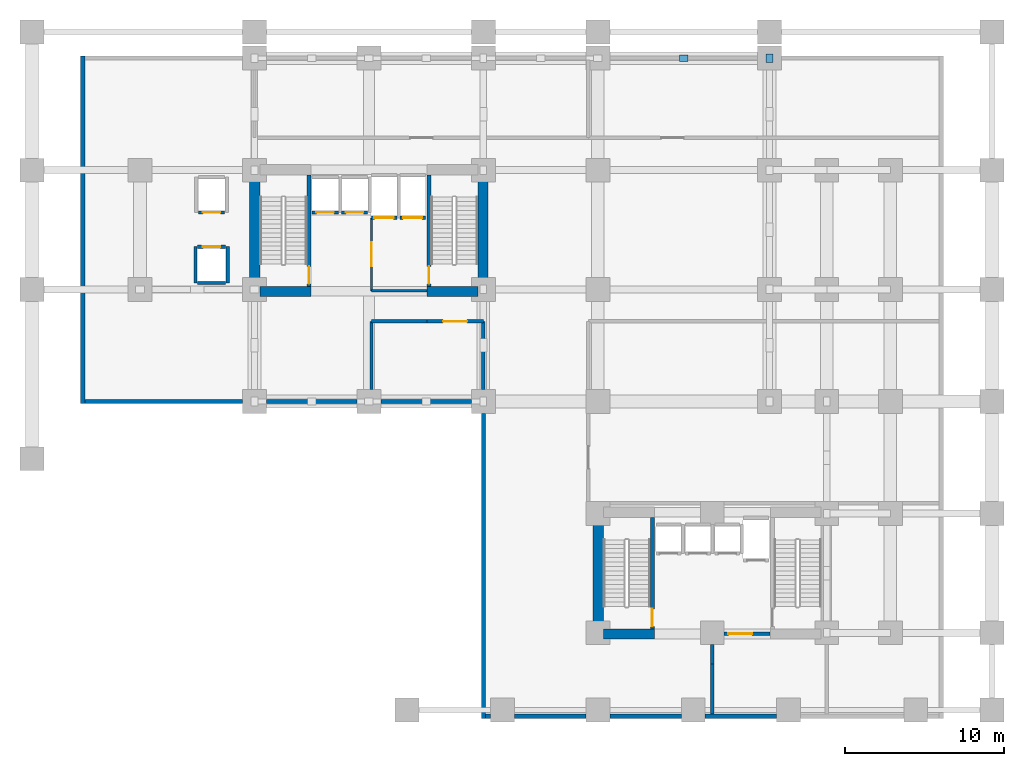
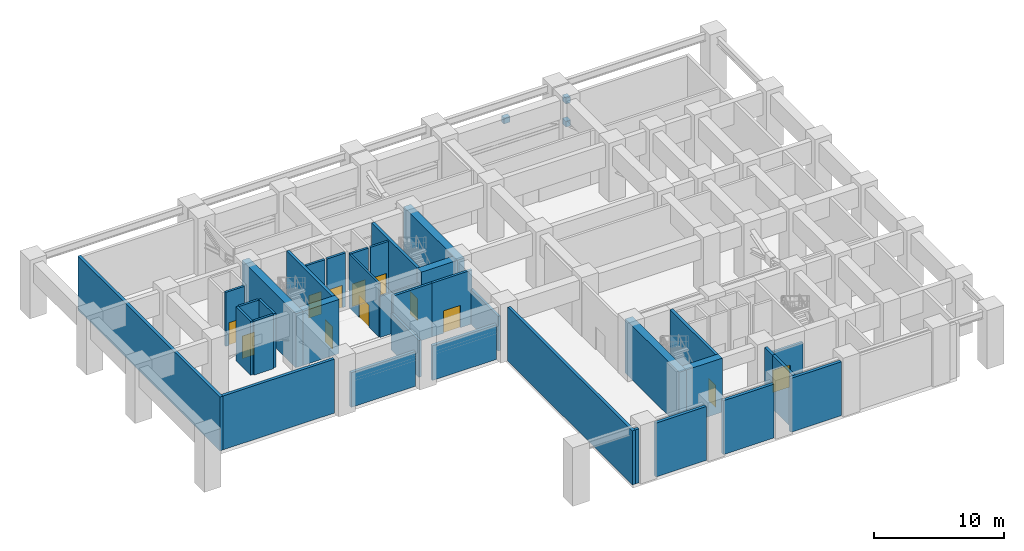
# One storey, part 4 of 9: 36 walls, 12 doors, 3 plates, 12 openings.
"""IFC4 building model written with IfcOpenShell, lengths in metres."""

from ifc_helpers import new_model, si_unit, direction, frame, frame_2d, origin, origin_2d, place, context, subcontext, project, spatial, rectangle, extrude, source, transform, mapped, material, layer, layer_set, type_object, element, fill, save


model = new_model("IFC4")

# Units and contexts
model_context = context("Model", 3, precision=1e-05, world=origin(), true_north=direction((0.0, 1.0)))
body_context = subcontext(model_context, "Body", "Model", "MODEL_VIEW")
ifc_project = project(units=[si_unit("LENGTHUNIT", "METRE"), si_unit("AREAUNIT", "SQUARE_METRE"), si_unit("VOLUMEUNIT", "CUBIC_METRE"), si_unit("PLANEANGLEUNIT", "RADIAN"), si_unit("MASSUNIT", "GRAM", prefix="KILO")], contexts=[model_context])

# Site, building, storey
site_placement = place(None, origin())
site = spatial("IfcSite", under=ifc_project, at=site_placement, CompositionType="ELEMENT")
building_placement = place(site_placement, origin())
building = spatial("IfcBuilding", under=site, at=building_placement, Name="Kaliganga Portal Commons", CompositionType="ELEMENT")
storey_placement = place(building_placement, frame((0.0, 0.0, 19.800048828125)))
storey = spatial("IfcBuildingStorey", under=building, at=storey_placement, Name="L04", CompositionType="ELEMENT", Elevation=19.800048828125)

# Plates
ifc_material_1 = material(Name="Structural steel S460M", Category="steel")
ifc_layer_1 = layer(ifc_material_1, 0.0400390625)
ifc_layer_set_1 = layer_set([ifc_layer_1], Name="Structural steel S460M")
plate_type = type_object("IfcPlateType", Name="PLT-GUSSET-40", PredefinedType="USERDEFINED", material=ifc_layer_set_1)
shared_shape = source(origin(), body_context, "Body", "SweptSolid", [
    extrude(rectangle(XDim=0.5400390625, YDim=0.419921875, at=origin_2d()), origin(), (0.0, 0.0, 1.0), 0.5400390625),
])
for number, where, z_axis, x_axis, name in (
    (1, (46.800048828125, 43.199951171875, 4.4599609375), (0.0, 0.0, 1.0), (0.0, 1.0, 0.0), "Brace End Gusset Plate PLT-ENDG-L04-O08A1"),
    (2, (46.800048828125, 43.199951171875, 2.280029296875), (0.0, 0.0, 1.0), (0.0, 1.0, 0.0), "Brace End Gusset Plate PLT-ENDG-L04-O08B1"),
    (3, (41.39990234375, 43.199951171875, 4.4599609375), (0.0, 0.0, 1.0), (1.0, 0.0, 0.0), "Brace End Gusset Plate PLT-ENDG-L04-B04M"),
):
    element("IfcPlate", number, at=place(storey_placement, frame(where, z_axis=z_axis, x_axis=x_axis)), inside=storey, type_object=plate_type, Name=name, ObjectType="GUSSET PLATE", PredefinedType="USERDEFINED", context=body_context, shape_type="MappedRepresentation", body=[
        mapped(shared_shape, transform((0.0, 0.0, 0.0), x_axis=(1.0, 0.0, 0.0), y_axis=(0.0, 1.0, 0.0), z_axis=(0.0, 0.0, 1.0), scale=1.0)),
    ])

# Walls
ifc_material_2 = material(Name="Concrete C70/85", Category="concrete")
ifc_layer_2 = layer(ifc_material_2, 0.64990234375)
ifc_layer_set_2 = layer_set([ifc_layer_2], Name="Concrete C70/85")
wall_type_1 = type_object("IfcWallType", Name="WL-CORE-650", PredefinedType="SHEAR", material=ifc_layer_set_2)
for number, where, z_axis, x_axis, name in (
    (4, (14.425048828125, 28.199951171875, 0.0), (0.0, 0.0, 1.0), (0.0, 1.0, 0.0), "Core A West Shear Wall L04"),
    (5, (28.77490234375, 28.199951171875, 0.0), (0.0, 0.0, 1.0), (0.0, 1.0, 0.0), "Core A East Shear Wall L04"),
):
    element("IfcWall", number, at=place(storey_placement, frame(where, z_axis=z_axis, x_axis=x_axis)), inside=storey, type_object=wall_type_1, Name=name, PredefinedType="SHEAR", context=body_context, shape_type="SweptSolid", body=[
        extrude(rectangle(XDim=8.300048828125, YDim=0.64990234375, at=frame_2d((4.14990234375, 0.0))), origin(), (0.0, 0.0, 1.0), 5.079833984375),
    ])
for number, where, z_axis, x_axis, name in (
    (6, (14.75, 28.52490234375, 0.0), (0.0, 0.0, 1.0), (1.0, 0.0, 0.0), "Core A S-West Shear Wall L04"),
    (7, (25.25, 28.52490234375, 0.0), (0.0, 0.0, 1.0), (1.0, 0.0, 0.0), "Core A S-East Shear Wall L04"),
):
    element("IfcWall", number, at=place(storey_placement, frame(where, z_axis=z_axis, x_axis=x_axis)), inside=storey, type_object=wall_type_1, Name=name, PredefinedType="SHEAR", context=body_context, shape_type="SweptSolid", body=[
        extrude(rectangle(XDim=3.199951171875, YDim=0.64990234375, at=frame_2d((1.60009765625, 0.0))), origin(), (0.0, 0.0, 1.0), 5.079833984375),
    ])
wall_1_placement = place(storey_placement, frame((36.02490234375, 6.64990234375, 0.0), z_axis=(0.0, 0.0, 1.0), x_axis=(0.0, 1.0, 0.0)))
element("IfcWall", 8, at=wall_1_placement, inside=storey, type_object=wall_type_1, Name="Core B West Shear Wall L04", PredefinedType="SHEAR", context=body_context, shape_type="SweptSolid", body=[
    extrude(rectangle(XDim=8.300048828125, YDim=0.64990234375, at=frame_2d((4.14990234375, 0.0))), origin(), (0.0, 0.0, 1.0), 5.079833984375),
])
wall_2_placement = place(storey_placement, frame((36.35009765625, 6.97509765625, 0.0), z_axis=(0.0, 0.0, 1.0), x_axis=(1.0, 0.0, 0.0)))
element("IfcWall", 9, at=wall_2_placement, inside=storey, type_object=wall_type_1, Name="Core B S-West Shear Wall L04", PredefinedType="SHEAR", context=body_context, shape_type="SweptSolid", body=[
    extrude(rectangle(XDim=3.199951171875, YDim=0.64990234375, at=frame_2d((1.60009765625, 0.0))), origin(), (0.0, 0.0, 1.0), 5.079833984375),
])
ifc_material_3 = material(Name="Insulated Aluminium-Clad Spandrel Assembly", Category="aluminium")
ifc_layer_3 = layer(ifc_material_3, 0.260009765625)
ifc_layer_set_3 = layer_set([ifc_layer_3], Name="Insulated Aluminium-Clad Spandrel Assembly")
wall_type_2 = type_object("IfcWallType", Name="WL-EXT-SPAND-260", PredefinedType="STANDARD", material=ifc_layer_set_3)
wall_3_placement = place(storey_placement, frame((29.2490234375, 1.800048828125, 0.0), z_axis=(0.0, 0.0, 1.0), x_axis=(-1.0, 0.0, 0.0)))
element("IfcWall", 10, at=wall_3_placement, inside=storey, type_object=wall_type_2, Name="Exterior Envelope Wall L04 P1-E00-S1", PredefinedType="STANDARD", context=body_context, shape_type="SweptSolid", body=[
    extrude(rectangle(XDim=0.31396484375, YDim=0.260009765625, at=frame_2d((0.156982421875, 0.0))), origin(), (0.0, 0.0, 1.0), 5.06005859375),
])
for number, where, z_axis, x_axis, name in (
    (11, (35.2490234375, 1.800048828125, 0.0), (0.0, 0.0, 1.0), (-1.0, 0.0, 0.0), "Exterior Envelope Wall L04 P1-E00-S2"),
    (12, (41.2490234375, 1.800048828125, 0.0), (0.0, 0.0, 1.0), (-1.0, 0.0, 0.0), "Exterior Envelope Wall L04 P1-E00-S3"),
    (13, (47.2490234375, 1.800048828125, 0.0), (0.0, 0.0, 1.0), (-1.0, 0.0, 0.0), "Exterior Envelope Wall L04 P1-E00-S4"),
):
    element("IfcWall", number, at=place(storey_placement, frame(where, z_axis=z_axis, x_axis=x_axis)), inside=storey, type_object=wall_type_2, Name=name, PredefinedType="STANDARD", context=body_context, shape_type="SweptSolid", body=[
        extrude(rectangle(XDim=4.498046875, YDim=0.260009765625, at=frame_2d((2.2490234375, 0.0))), origin(), (0.0, 0.0, 1.0), 5.06005859375),
    ])
wall_4_placement = place(storey_placement, frame((3.60009765625, 21.469970703125, 0.0), z_axis=(0.0, 0.0, 1.0), x_axis=(0.0, 1.0, 0.0)))
element("IfcWall", 14, at=wall_4_placement, inside=storey, type_object=wall_type_2, Name="Exterior Envelope Wall L04 P1-E03-S1", PredefinedType="STANDARD", context=body_context, shape_type="SweptSolid", body=[
    extrude(rectangle(XDim=21.860107421875, YDim=0.260009765625, at=frame_2d((10.93017578125, 0.0))), origin(), (0.0, 0.0, 1.0), 5.06005859375),
])
wall_5_placement = place(storey_placement, frame((13.64892578125, 21.60009765625, 0.0), z_axis=(0.0, 0.0, 1.0), x_axis=(-1.0, 0.0, 0.0)))
element("IfcWall", 15, at=wall_5_placement, inside=storey, type_object=wall_type_2, Name="Exterior Envelope Wall L04 P1-E04-S1", PredefinedType="STANDARD", context=body_context, shape_type="SweptSolid", body=[
    extrude(rectangle(XDim=9.913818359375, YDim=0.260009765625, at=frame_2d((4.95703125, 0.0))), origin(), (0.0, 0.0, 1.0), 5.06005859375),
])
wall_6_placement = place(storey_placement, frame((20.84912109375, 21.60009765625, 0.0), z_axis=(0.0, 0.0, 1.0), x_axis=(-1.0, 0.0, 0.0)))
element("IfcWall", 16, at=wall_6_placement, inside=storey, type_object=wall_type_2, Name="Exterior Envelope Wall L04 P1-E04-S2", PredefinedType="STANDARD", context=body_context, shape_type="SweptSolid", body=[
    extrude(rectangle(XDim=5.6982421875, YDim=0.260009765625, at=frame_2d((2.84912109375, 0.0))), origin(), (0.0, 0.0, 1.0), 3.260009765625),
])
wall_7_placement = place(storey_placement, frame((28.049072265625, 21.60009765625, 0.0), z_axis=(0.0, 0.0, 1.0), x_axis=(-1.0, 0.0, 0.0)))
element("IfcWall", 17, at=wall_7_placement, inside=storey, type_object=wall_type_2, Name="Exterior Envelope Wall L04 P1-E04-S3", PredefinedType="STANDARD", context=body_context, shape_type="SweptSolid", body=[
    extrude(rectangle(XDim=5.697998046875, YDim=0.260009765625, at=frame_2d((2.84912109375, 0.0))), origin(), (0.0, 0.0, 1.0), 3.260009765625),
])
wall_8_placement = place(storey_placement, frame((28.800048828125, 1.669921875, 0.0), z_axis=(0.0, 0.0, 1.0), x_axis=(0.0, 1.0, 0.0)))
element("IfcWall", 18, at=wall_8_placement, inside=storey, type_object=wall_type_2, Name="Exterior Envelope Wall L04 P1-E05-S1", PredefinedType="STANDARD", context=body_context, shape_type="SweptSolid", body=[
    extrude(rectangle(XDim=19.17919921875, YDim=0.260009765625, at=frame_2d((9.589599609375, 0.0))), origin(), (0.0, 0.0, 1.0), 5.06005859375),
])

# Wall, opening, door
ifc_material_4 = material(Name="Fire-Rated Gypsum Board on Steel Stud", Category="steel")
ifc_layer_4 = layer(ifc_material_4, 0.14990234375)
ifc_layer_set_4 = layer_set([ifc_layer_4], Name="Fire-Rated Gypsum Board on Steel Stud")
wall_type_3 = type_object("IfcWallType", Name="WL-PART-CORR-150", PredefinedType="PARTITIONING", material=ifc_layer_set_4)
wall_9_placement = place(storey_placement, frame((21.760009765625, 28.56005859375, 0.0), z_axis=(0.0, 0.0, 1.0), x_axis=(0.0, 1.0, 0.0)))
wall_9 = element("IfcWall", 19, at=wall_9_placement, inside=storey, type_object=wall_type_3, Name="Interior Partition L04-019", PredefinedType="PARTITIONING", context=body_context, shape_type="SweptSolid", body=[
    extrude(rectangle(XDim=4.599853515625, YDim=0.14990234375, at=frame_2d((2.2998046875, 0.0))), origin(), (0.0, 0.0, 1.0), 5.06005859375),
])
opening_1_placement = place(wall_9_placement, frame((1.550048828125, 0.0, 0.0)))
opening_1 = element("IfcOpeningElement", 20, at=opening_1_placement, cuts=wall_9, Name="Opening FD-01", PredefinedType="OPENING", context=body_context, shape_type="SweptSolid", body=[
    extrude(rectangle(XDim=1.5, YDim=2.10009765625, at=frame_2d((0.75, 1.050048828125))), frame((0.0, 0.0849609375, 0.0), z_axis=(0.0, -1.0, 0.0), x_axis=(1.0, 0.0, 0.0)), (0.0, 0.0, 1.0), 0.169921875),
])
ifc_material_5 = material(Name="Fire-Rated Hardwood and Georgian-Wired Vision Panel", Category="wood")
door_type_1 = type_object("IfcDoorType", Name="DR-LOBBY-1500", OperationType="DOUBLE_DOOR_SINGLE_SWING", PredefinedType="DOOR", material=ifc_material_5)
door_1_placement = place(opening_1_placement, origin())
door_1 = element("IfcDoor", 21, at=door_1_placement, inside=storey, type_object=door_type_1, Name="Interior Door L04-FFLOB_A", OperationType="DOUBLE_DOOR_SINGLE_SWING", OverallHeight=2.10009765625, OverallWidth=1.5, PredefinedType="DOOR", context=body_context, shape_type="SweptSolid", body=[
    extrude(rectangle(XDim=1.5, YDim=2.10009765625, at=frame_2d((0.75, 1.050048828125))), frame((0.0, 0.02490234375, 0.0), z_axis=(0.0, -1.0, 0.0), x_axis=(1.0, 0.0, 0.0)), (0.0, 0.0, 1.0), 0.050048828125),
])
fill(opening_1, door_1)

# Wall
wall_10_placement = place(storey_placement, frame((21.760009765625, 28.56005859375, 0.0), z_axis=(0.0, 0.0, 1.0), x_axis=(1.0, 0.0, 0.0)))
element("IfcWall", 22, at=wall_10_placement, inside=storey, type_object=wall_type_3, Name="Interior Partition L04-021", PredefinedType="PARTITIONING", context=body_context, shape_type="SweptSolid", body=[
    extrude(rectangle(XDim=3.47998046875, YDim=0.14990234375, at=frame_2d((1.739990234375, 0.0))), origin(), (0.0, 0.0, 1.0), 3.85986328125),
])

# Wall, opening, door
ifc_material_6 = material(Name="Lightweight blockwork masonry", Category="masonry")
ifc_layer_5 = layer(ifc_material_6, 0.215087890625)
ifc_layer_set_5 = layer_set([ifc_layer_5], Name="Lightweight blockwork masonry")
wall_type_4 = type_object("IfcWallType", Name="WL-PART-PLANT-215", PredefinedType="PARTITIONING", material=ifc_layer_set_5)
wall_11_placement = place(storey_placement, frame((43.949951171875, 7.0, 0.0), z_axis=(0.0, 0.0, 1.0), x_axis=(1.0, 0.0, 0.0)))
wall_11 = element("IfcWall", 23, at=wall_11_placement, inside=storey, type_object=wall_type_4, Name="Interior Partition L04-001", PredefinedType="PARTITIONING", context=body_context, shape_type="SweptSolid", body=[
    extrude(rectangle(XDim=2.89013671875, YDim=0.215087890625, at=frame_2d((1.445068359375, 0.0))), origin(), (0.0, 0.0, 1.0), 3.85986328125),
])
opening_2_placement = place(wall_11_placement, frame((0.261474609375, 0.0, 0.0)))
opening_2 = element("IfcOpeningElement", 24, at=opening_2_placement, cuts=wall_11, Name="Opening FD-01", PredefinedType="OPENING", context=body_context, shape_type="SweptSolid", body=[
    extrude(rectangle(XDim=1.5, YDim=2.10009765625, at=frame_2d((0.75, 1.050048828125))), frame((0.0, 0.11767578125, 0.0), z_axis=(0.0, -1.0, 0.0), x_axis=(1.0, 0.0, 0.0)), (0.0, 0.0, 1.0), 0.235107421875),
])
door_2_placement = place(opening_2_placement, origin())
door_2 = element("IfcDoor", 25, at=door_2_placement, inside=storey, type_object=door_type_1, Name="Interior Door L04-REFB", OperationType="DOUBLE_DOOR_SINGLE_SWING", OverallHeight=2.10009765625, OverallWidth=1.5, PredefinedType="DOOR", context=body_context, shape_type="SweptSolid", body=[
    extrude(rectangle(XDim=1.5, YDim=2.10009765625, at=frame_2d((0.75, 1.050048828125))), frame((0.0, 0.02490234375, 0.0), z_axis=(0.0, -1.0, 0.0), x_axis=(1.0, 0.0, 0.0)), (0.0, 0.0, 1.0), 0.050048828125),
])
fill(opening_2, door_2)

wall_12_placement = place(storey_placement, frame((25.239990234375, 26.639892578125, 0.0), z_axis=(0.0, 0.0, 1.0), x_axis=(1.0, 0.0, 0.0)))
wall_12 = element("IfcWall", 26, at=wall_12_placement, inside=storey, type_object=wall_type_4, Name="Interior Partition L04-006", PredefinedType="PARTITIONING", context=body_context, shape_type="SweptSolid", body=[
    extrude(rectangle(XDim=3.56005859375, YDim=0.215087890625, at=frame_2d((1.780029296875, 0.0))), origin(), (0.0, 0.0, 1.0), 5.06005859375),
])
opening_3_placement = place(wall_12_placement, frame((1.030029296875, 0.0, 0.0)))
opening_3 = element("IfcOpeningElement", 27, at=opening_3_placement, cuts=wall_12, Name="Opening FD-01", PredefinedType="OPENING", context=body_context, shape_type="SweptSolid", body=[
    extrude(rectangle(XDim=1.5, YDim=2.10009765625, at=frame_2d((0.75, 1.050048828125))), frame((0.0, 0.11767578125, 0.0), z_axis=(0.0, -1.0, 0.0), x_axis=(1.0, 0.0, 0.0)), (0.0, 0.0, 1.0), 0.235107421875),
])
door_3_placement = place(opening_3_placement, origin())
door_3 = element("IfcDoor", 28, at=door_3_placement, inside=storey, type_object=door_type_1, Name="Interior Door L04-REFA", OperationType="DOUBLE_DOOR_SINGLE_SWING", OverallHeight=2.10009765625, OverallWidth=1.5, PredefinedType="DOOR", context=body_context, shape_type="SweptSolid", body=[
    extrude(rectangle(XDim=1.5, YDim=2.10009765625, at=frame_2d((0.75, 1.050048828125))), frame((0.0, 0.02490234375, 0.0), z_axis=(0.0, -1.0, 0.0), x_axis=(1.0, 0.0, 0.0)), (0.0, 0.0, 1.0), 0.050048828125),
])
fill(opening_3, door_3)

# Walls
wall_13_placement = place(storey_placement, frame((43.199951171875, 5.10009765625, 0.0), z_axis=(0.0, 0.0, 1.0), x_axis=(0.0, 1.0, 0.0)))
element("IfcWall", 29, at=wall_13_placement, inside=storey, type_object=wall_type_4, Name="Interior Partition L04-007", PredefinedType="PARTITIONING", context=body_context, shape_type="SweptSolid", body=[
    extrude(rectangle(XDim=1.199951171875, YDim=0.215087890625, at=frame_2d((0.60009765625, 0.0))), origin(), (0.0, 0.0, 1.0), 5.06005859375),
])
wall_14_placement = place(storey_placement, frame((21.760009765625, 22.35009765625, 0.0), z_axis=(0.0, 0.0, 1.0), x_axis=(0.0, 1.0, 0.0)))
element("IfcWall", 30, at=wall_14_placement, inside=storey, type_object=wall_type_4, Name="Interior Partition L04-015", PredefinedType="PARTITIONING", context=body_context, shape_type="SweptSolid", body=[
    extrude(rectangle(XDim=4.289794921875, YDim=0.215087890625, at=frame_2d((2.14501953125, 0.0))), origin(), (0.0, 0.0, 1.0), 3.4599609375),
])
wall_15_placement = place(storey_placement, frame((28.800048828125, 22.35009765625, 0.0), z_axis=(0.0, 0.0, 1.0), x_axis=(0.0, 1.0, 0.0)))
element("IfcWall", 31, at=wall_15_placement, inside=storey, type_object=wall_type_4, Name="Interior Partition L04-016", PredefinedType="PARTITIONING", context=body_context, shape_type="SweptSolid", body=[
    extrude(rectangle(XDim=4.289794921875, YDim=0.215087890625, at=frame_2d((2.14501953125, 0.0))), origin(), (0.0, 0.0, 1.0), 3.260009765625),
])
wall_16_placement = place(storey_placement, frame((21.760009765625, 26.639892578125, 0.0), z_axis=(0.0, 0.0, 1.0), x_axis=(1.0, 0.0, 0.0)))
element("IfcWall", 32, at=wall_16_placement, inside=storey, type_object=wall_type_4, Name="Interior Partition L04-020", PredefinedType="PARTITIONING", context=body_context, shape_type="SweptSolid", body=[
    extrude(rectangle(XDim=3.47998046875, YDim=0.215087890625, at=frame_2d((1.739990234375, 0.0))), origin(), (0.0, 0.0, 1.0), 5.06005859375),
])
wall_17_placement = place(storey_placement, frame((43.199951171875, 1.931884765625, 0.0), z_axis=(0.0, 0.0, 1.0), x_axis=(0.0, 1.0, 0.0)))
element("IfcWall", 33, at=wall_17_placement, inside=storey, type_object=wall_type_4, Name="Interior Partition L04-022", PredefinedType="PARTITIONING", context=body_context, shape_type="SweptSolid", body=[
    extrude(rectangle(XDim=3.168212890625, YDim=0.215087890625, at=frame_2d((1.583984375, 0.0))), origin(), (0.0, 0.0, 1.0), 5.06005859375),
])

# Wall, opening, door
ifc_material_7 = material(Name="Fire-Rated Shaftwall Masonry Assembly", Category="masonry")
ifc_layer_6 = layer(ifc_material_7, 0.199951171875)
ifc_layer_set_6 = layer_set([ifc_layer_6], Name="Fire-Rated Shaftwall Masonry Assembly")
wall_type_5 = type_object("IfcWallType", Name="WL-SHAFT-200", PredefinedType="PARTITIONING", material=ifc_layer_set_6)
wall_18_placement = place(storey_placement, frame((18.02490234375, 33.485107421875, 0.0), z_axis=(0.0, 0.0, 1.0), x_axis=(1.0, 0.0, 0.0)))
wall_18 = element("IfcWall", 34, at=wall_18_placement, inside=storey, type_object=wall_type_5, Name="Lift PL-A1 Hoistway Shaft Wall L04-S", PredefinedType="PARTITIONING", context=body_context, shape_type="SweptSolid", body=[
    extrude(rectangle(XDim=1.650146484375, YDim=0.199951171875, at=frame_2d((0.8251953125, 0.0))), origin(), (0.0, 0.0, 1.0), 5.06005859375),
])
opening_4_placement = place(wall_18_placement, frame((0.27490234375, 0.0, 0.0)))
opening_4 = element("IfcOpeningElement", 35, at=opening_4_placement, cuts=wall_18, Name="Opening LD-01", PredefinedType="OPENING", context=body_context, shape_type="SweptSolid", body=[
    extrude(rectangle(XDim=1.10009765625, YDim=2.1201171875, at=frame_2d((0.550048828125, 1.06005859375))), frame((0.0, 0.10986328125, 0.0), z_axis=(0.0, -1.0, 0.0), x_axis=(1.0, 0.0, 0.0)), (0.0, 0.0, 1.0), 0.219970703125),
])
ifc_material_8 = material(Name="Brushed Stainless Steel 316 Lift Landing Door", Category="steel")
door_type_2 = type_object("IfcDoorType", Name="DR-LIFT-1100", OperationType="SLIDING_TO_LEFT", PredefinedType="DOOR", material=ifc_material_8)
door_4_placement = place(opening_4_placement, origin())
door_4 = element("IfcDoor", 36, at=door_4_placement, inside=storey, type_object=door_type_2, Name="Lift PL-A1 Sliding Landing Door L04", OperationType="SLIDING_TO_LEFT", OverallHeight=2.1201171875, OverallWidth=1.10009765625, PredefinedType="DOOR", context=body_context, shape_type="SweptSolid", body=[
    extrude(rectangle(XDim=1.10009765625, YDim=2.1201171875, at=frame_2d((0.550048828125, 1.06005859375))), frame((0.0, 0.02490234375, 0.0), z_axis=(0.0, -1.0, 0.0), x_axis=(1.0, 0.0, 0.0)), (0.0, 0.0, 1.0), 0.050048828125),
])
fill(opening_4, door_4)

wall_19_placement = place(storey_placement, frame((19.875, 33.485107421875, 0.0), z_axis=(0.0, 0.0, 1.0), x_axis=(1.0, 0.0, 0.0)))
wall_19 = element("IfcWall", 37, at=wall_19_placement, inside=storey, type_object=wall_type_5, Name="Lift PL-A2 Hoistway Shaft Wall L04-S", PredefinedType="PARTITIONING", context=body_context, shape_type="SweptSolid", body=[
    extrude(rectangle(XDim=1.64990234375, YDim=0.199951171875, at=frame_2d((0.824951171875, 0.0))), origin(), (0.0, 0.0, 1.0), 5.06005859375),
])
opening_5_placement = place(wall_19_placement, frame((0.27490234375, 0.0, 0.0)))
opening_5 = element("IfcOpeningElement", 38, at=opening_5_placement, cuts=wall_19, Name="Opening LD-01", PredefinedType="OPENING", context=body_context, shape_type="SweptSolid", body=[
    extrude(rectangle(XDim=1.10009765625, YDim=2.1201171875, at=frame_2d((0.550048828125, 1.06005859375))), frame((0.0, 0.10986328125, 0.0), z_axis=(0.0, -1.0, 0.0), x_axis=(1.0, 0.0, 0.0)), (0.0, 0.0, 1.0), 0.219970703125),
])
door_5_placement = place(opening_5_placement, origin())
door_5 = element("IfcDoor", 39, at=door_5_placement, inside=storey, type_object=door_type_2, Name="Lift PL-A2 Sliding Landing Door L04", OperationType="SLIDING_TO_LEFT", OverallHeight=2.1201171875, OverallWidth=1.10009765625, PredefinedType="DOOR", context=body_context, shape_type="SweptSolid", body=[
    extrude(rectangle(XDim=1.10009765625, YDim=2.1201171875, at=frame_2d((0.550048828125, 1.06005859375))), frame((0.0, 0.02490234375, 0.0), z_axis=(0.0, -1.0, 0.0), x_axis=(1.0, 0.0, 0.0)), (0.0, 0.0, 1.0), 0.050048828125),
])
fill(opening_5, door_5)

# Wall
wall_20_placement = place(storey_placement, frame((10.824951171875, 29.06005859375, 0.0), z_axis=(0.0, 0.0, 1.0), x_axis=(1.0, 0.0, 0.0)))
element("IfcWall", 40, at=wall_20_placement, inside=storey, type_object=wall_type_5, Name="Lift SH-1 Hoistway Shaft Wall L04-S", PredefinedType="PARTITIONING", context=body_context, shape_type="SweptSolid", body=[
    extrude(rectangle(XDim=1.75, YDim=0.199951171875, at=frame_2d((0.875, 0.0))), origin(), (0.0, 0.0, 1.0), 5.06005859375),
])

# Wall, opening, door
wall_21_placement = place(storey_placement, frame((10.824951171875, 31.340087890625, 0.0), z_axis=(0.0, 0.0, 1.0), x_axis=(1.0, 0.0, 0.0)))
wall_21 = element("IfcWall", 41, at=wall_21_placement, inside=storey, type_object=wall_type_5, Name="Lift SH-1 Hoistway Shaft Wall L04-N", PredefinedType="PARTITIONING", context=body_context, shape_type="SweptSolid", body=[
    extrude(rectangle(XDim=1.75, YDim=0.199951171875, at=frame_2d((0.875, 0.0))), origin(), (0.0, 0.0, 1.0), 5.06005859375),
])
opening_6_placement = place(wall_21_placement, frame((0.324951171875, 0.0, 0.0)))
opening_6 = element("IfcOpeningElement", 42, at=opening_6_placement, cuts=wall_21, Name="Opening LD-01", PredefinedType="OPENING", context=body_context, shape_type="SweptSolid", body=[
    extrude(rectangle(XDim=1.10009765625, YDim=2.1201171875, at=frame_2d((0.550048828125, 1.06005859375))), frame((0.0, 0.10986328125, 0.0), z_axis=(0.0, -1.0, 0.0), x_axis=(1.0, 0.0, 0.0)), (0.0, 0.0, 1.0), 0.219970703125),
])
door_6_placement = place(opening_6_placement, origin())
door_6 = element("IfcDoor", 43, at=door_6_placement, inside=storey, type_object=door_type_2, Name="Lift SH-1 Sliding Landing Door L04", OperationType="SLIDING_TO_LEFT", OverallHeight=2.1201171875, OverallWidth=1.10009765625, PredefinedType="DOOR", context=body_context, shape_type="SweptSolid", body=[
    extrude(rectangle(XDim=1.10009765625, YDim=2.1201171875, at=frame_2d((0.550048828125, 1.06005859375))), frame((0.0, 0.02490234375, 0.0), z_axis=(0.0, -1.0, 0.0), x_axis=(1.0, 0.0, 0.0)), (0.0, 0.0, 1.0), 0.050048828125),
])
fill(opening_6, door_6)

# Walls
for number, where, z_axis, x_axis, name in (
    (44, (10.68505859375, 29.06005859375, 0.0), (0.0, 0.0, 1.0), (0.0, 1.0, 0.0), "Lift SH-1 Hoistway Shaft Wall L04-W"),
    (45, (12.715087890625, 29.06005859375, 0.0), (0.0, 0.0, 1.0), (0.0, 1.0, 0.0), "Lift SH-1 Hoistway Shaft Wall L04-E"),
):
    element("IfcWall", number, at=place(storey_placement, frame(where, z_axis=z_axis, x_axis=x_axis)), inside=storey, type_object=wall_type_5, Name=name, PredefinedType="PARTITIONING", context=body_context, shape_type="SweptSolid", body=[
        extrude(rectangle(XDim=2.280029296875, YDim=0.199951171875, at=frame_2d((1.14013671875, 0.0))), origin(), (0.0, 0.0, 1.0), 5.06005859375),
    ])

# Wall, opening, door
wall_22_placement = place(storey_placement, frame((10.875, 33.485107421875, 0.0), z_axis=(0.0, 0.0, 1.0), x_axis=(1.0, 0.0, 0.0)))
wall_22 = element("IfcWall", 46, at=wall_22_placement, inside=storey, type_object=wall_type_5, Name="Lift PL-OBS Hoistway Shaft Wall L04-S", PredefinedType="PARTITIONING", context=body_context, shape_type="SweptSolid", body=[
    extrude(rectangle(XDim=1.64990234375, YDim=0.199951171875, at=frame_2d((0.824951171875, 0.0))), origin(), (0.0, 0.0, 1.0), 5.06005859375),
])
opening_7_placement = place(wall_22_placement, frame((0.27490234375, 0.0, 0.0)))
opening_7 = element("IfcOpeningElement", 47, at=opening_7_placement, cuts=wall_22, Name="Opening LD-01", PredefinedType="OPENING", context=body_context, shape_type="SweptSolid", body=[
    extrude(rectangle(XDim=1.10009765625, YDim=2.1201171875, at=frame_2d((0.550048828125, 1.06005859375))), frame((0.0, 0.10986328125, 0.0), z_axis=(0.0, -1.0, 0.0), x_axis=(1.0, 0.0, 0.0)), (0.0, 0.0, 1.0), 0.219970703125),
])
door_7_placement = place(opening_7_placement, origin())
door_7 = element("IfcDoor", 48, at=door_7_placement, inside=storey, type_object=door_type_2, Name="Lift PL-OBS Sliding Landing Door L04", OperationType="SLIDING_TO_LEFT", OverallHeight=2.1201171875, OverallWidth=1.10009765625, PredefinedType="DOOR", context=body_context, shape_type="SweptSolid", body=[
    extrude(rectangle(XDim=1.10009765625, YDim=2.1201171875, at=frame_2d((0.550048828125, 1.06005859375))), frame((0.0, 0.02490234375, 0.0), z_axis=(0.0, -1.0, 0.0), x_axis=(1.0, 0.0, 0.0)), (0.0, 0.0, 1.0), 0.050048828125),
])
fill(opening_7, door_7)

wall_23_placement = place(storey_placement, frame((21.75, 33.159912109375, 0.0), z_axis=(0.0, 0.0, 1.0), x_axis=(1.0, 0.0, 0.0)))
wall_23 = element("IfcWall", 49, at=wall_23_placement, inside=storey, type_object=wall_type_5, Name="Lift FFL-1 Hoistway Shaft Wall L04-S", PredefinedType="PARTITIONING", context=body_context, shape_type="SweptSolid", body=[
    extrude(rectangle(XDim=1.60009765625, YDim=0.199951171875, at=frame_2d((0.800048828125, 0.0))), origin(), (0.0, 0.0, 1.0), 5.06005859375),
])
opening_8_placement = place(wall_23_placement, frame((0.199951171875, 0.0, 0.0)))
opening_8 = element("IfcOpeningElement", 50, at=opening_8_placement, cuts=wall_23, Name="Opening LD-02", PredefinedType="OPENING", context=body_context, shape_type="SweptSolid", body=[
    extrude(rectangle(XDim=1.199951171875, YDim=2.1201171875, at=frame_2d((0.60009765625, 1.06005859375))), frame((0.0, 0.10986328125, 0.0), z_axis=(0.0, -1.0, 0.0), x_axis=(1.0, 0.0, 0.0)), (0.0, 0.0, 1.0), 0.219970703125),
])
ifc_material_9 = material(Name="Brushed Stainless Steel 316 Stretcher Lift Landing Door", Category="steel")
door_type_3 = type_object("IfcDoorType", Name="DR-LIFT-1200", OperationType="SLIDING_TO_RIGHT", PredefinedType="DOOR", material=ifc_material_9)
door_8_placement = place(opening_8_placement, origin())
door_8 = element("IfcDoor", 51, at=door_8_placement, inside=storey, type_object=door_type_3, Name="Lift FFL-1 Sliding Landing Door L04", OperationType="SLIDING_TO_RIGHT", OverallHeight=2.1201171875, OverallWidth=1.199951171875, PredefinedType="DOOR", context=body_context, shape_type="SweptSolid", body=[
    extrude(rectangle(XDim=1.199951171875, YDim=2.1201171875, at=frame_2d((0.60009765625, 1.06005859375))), frame((0.0, 0.02490234375, 0.0), z_axis=(0.0, -1.0, 0.0), x_axis=(1.0, 0.0, 0.0)), (0.0, 0.0, 1.0), 0.050048828125),
])
fill(opening_8, door_8)

wall_24_placement = place(storey_placement, frame((23.550048828125, 33.159912109375, 0.0), z_axis=(0.0, 0.0, 1.0), x_axis=(1.0, 0.0, 0.0)))
wall_24 = element("IfcWall", 52, at=wall_24_placement, inside=storey, type_object=wall_type_5, Name="Lift FFL-2 Hoistway Shaft Wall L04-S", PredefinedType="PARTITIONING", context=body_context, shape_type="SweptSolid", body=[
    extrude(rectangle(XDim=1.599853515625, YDim=0.199951171875, at=frame_2d((0.7998046875, 0.0))), origin(), (0.0, 0.0, 1.0), 5.06005859375),
])
opening_9_placement = place(wall_24_placement, frame((0.199951171875, 0.0, 0.0)))
opening_9 = element("IfcOpeningElement", 53, at=opening_9_placement, cuts=wall_24, Name="Opening LD-02", PredefinedType="OPENING", context=body_context, shape_type="SweptSolid", body=[
    extrude(rectangle(XDim=1.199951171875, YDim=2.1201171875, at=frame_2d((0.60009765625, 1.06005859375))), frame((0.0, 0.10986328125, 0.0), z_axis=(0.0, -1.0, 0.0), x_axis=(1.0, 0.0, 0.0)), (0.0, 0.0, 1.0), 0.219970703125),
])
door_9_placement = place(opening_9_placement, origin())
door_9 = element("IfcDoor", 54, at=door_9_placement, inside=storey, type_object=door_type_3, Name="Lift FFL-2 Sliding Landing Door L04", OperationType="SLIDING_TO_RIGHT", OverallHeight=2.1201171875, OverallWidth=1.199951171875, PredefinedType="DOOR", context=body_context, shape_type="SweptSolid", body=[
    extrude(rectangle(XDim=1.199951171875, YDim=2.1201171875, at=frame_2d((0.60009765625, 1.06005859375))), frame((0.0, 0.02490234375, 0.0), z_axis=(0.0, -1.0, 0.0), x_axis=(1.0, 0.0, 0.0)), (0.0, 0.0, 1.0), 0.050048828125),
])
fill(opening_9, door_9)

ifc_material_10 = material(Name="Concrete C50/60", Category="concrete")
ifc_layer_7 = layer(ifc_material_10, 0.25)
ifc_layer_set_7 = layer_set([ifc_layer_7], Name="Concrete C50/60")
wall_type_6 = type_object("IfcWallType", Name="WL-STAIR-250", PredefinedType="SHEAR", material=ifc_layer_set_7)
wall_25_placement = place(storey_placement, frame((17.824951171875, 28.85009765625, 0.0), z_axis=(0.0, 0.0, 1.0), x_axis=(0.0, 1.0, 0.0)))
wall_25 = element("IfcWall", 55, at=wall_25_placement, inside=storey, type_object=wall_type_6, Name="Stair A1 Enclosure Shear Wall L04", PredefinedType="SHEAR", context=body_context, shape_type="SweptSolid", body=[
    extrude(rectangle(XDim=7.0, YDim=0.25, at=frame_2d((3.5, 0.0))), origin(), (0.0, 0.0, 1.0), 5.079833984375),
])
opening_10_placement = place(wall_25_placement, frame((0.14990234375, 0.0, 0.0)))
opening_10 = element("IfcOpeningElement", 56, at=opening_10_placement, cuts=wall_25, Name="Opening SD-01", PredefinedType="OPENING", context=body_context, shape_type="SweptSolid", body=[
    extrude(rectangle(XDim=1.10009765625, YDim=2.080078125, at=frame_2d((0.550048828125, 1.0400390625))), frame((0.0, 0.135009765625, 0.0), z_axis=(0.0, -1.0, 0.0), x_axis=(1.0, 0.0, 0.0)), (0.0, 0.0, 1.0), 0.27001953125),
])
ifc_material_11 = material(Name="Galvanized Steel Fire Door Leaf and Frame", Category="steel")
door_type_4 = type_object("IfcDoorType", Name="DR-STAIR-1100", OperationType="NOTDEFINED", PredefinedType="DOOR", material=ifc_material_11)
door_10_placement = place(opening_10_placement, origin())
door_10 = element("IfcDoor", 57, at=door_10_placement, inside=storey, type_object=door_type_4, Name="Protected Stair ST-A1 Fire Door L04", OperationType="SINGLE_SWING_RIGHT", OverallHeight=2.080078125, OverallWidth=1.10009765625, PredefinedType="DOOR", context=body_context, shape_type="SweptSolid", body=[
    extrude(rectangle(XDim=1.10009765625, YDim=2.080078125, at=frame_2d((0.550048828125, 1.0400390625))), frame((0.0, 0.02490234375, 0.0), z_axis=(0.0, -1.0, 0.0), x_axis=(1.0, 0.0, 0.0)), (0.0, 0.0, 1.0), 0.050048828125),
])
fill(opening_10, door_10)

wall_26_placement = place(storey_placement, frame((25.375, 28.85009765625, 0.0), z_axis=(0.0, 0.0, 1.0), x_axis=(0.0, 1.0, 0.0)))
wall_26 = element("IfcWall", 58, at=wall_26_placement, inside=storey, type_object=wall_type_6, Name="Stair A2 Enclosure Shear Wall L04", PredefinedType="SHEAR", context=body_context, shape_type="SweptSolid", body=[
    extrude(rectangle(XDim=7.0, YDim=0.25, at=frame_2d((3.5, 0.0))), origin(), (0.0, 0.0, 1.0), 5.079833984375),
])
opening_11_placement = place(wall_26_placement, frame((0.14990234375, 0.0, 0.0)))
opening_11 = element("IfcOpeningElement", 59, at=opening_11_placement, cuts=wall_26, Name="Opening SD-01", PredefinedType="OPENING", context=body_context, shape_type="SweptSolid", body=[
    extrude(rectangle(XDim=1.10009765625, YDim=2.080078125, at=frame_2d((0.550048828125, 1.0400390625))), frame((0.0, 0.135009765625, 0.0), z_axis=(0.0, -1.0, 0.0), x_axis=(1.0, 0.0, 0.0)), (0.0, 0.0, 1.0), 0.27001953125),
])
door_11_placement = place(opening_11_placement, origin())
door_11 = element("IfcDoor", 60, at=door_11_placement, inside=storey, type_object=door_type_4, Name="Protected Stair ST-A2 Fire Door L04", OperationType="SINGLE_SWING_LEFT", OverallHeight=2.080078125, OverallWidth=1.10009765625, PredefinedType="DOOR", context=body_context, shape_type="SweptSolid", body=[
    extrude(rectangle(XDim=1.10009765625, YDim=2.080078125, at=frame_2d((0.550048828125, 1.0400390625))), frame((0.0, 0.02490234375, 0.0), z_axis=(0.0, -1.0, 0.0), x_axis=(1.0, 0.0, 0.0)), (0.0, 0.0, 1.0), 0.050048828125),
])
fill(opening_11, door_11)

wall_27_placement = place(storey_placement, frame((39.425048828125, 7.300048828125, 0.0), z_axis=(0.0, 0.0, 1.0), x_axis=(0.0, 1.0, 0.0)))
wall_27 = element("IfcWall", 61, at=wall_27_placement, inside=storey, type_object=wall_type_6, Name="Stair B1 Enclosure Shear Wall L04", PredefinedType="SHEAR", context=body_context, shape_type="SweptSolid", body=[
    extrude(rectangle(XDim=7.0, YDim=0.25, at=frame_2d((3.5, 0.0))), origin(), (0.0, 0.0, 1.0), 5.079833984375),
])
opening_12_placement = place(wall_27_placement, frame((0.14990234375, 0.0, 0.0)))
opening_12 = element("IfcOpeningElement", 62, at=opening_12_placement, cuts=wall_27, Name="Opening SD-01", PredefinedType="OPENING", context=body_context, shape_type="SweptSolid", body=[
    extrude(rectangle(XDim=1.10009765625, YDim=2.080078125, at=frame_2d((0.550048828125, 1.0400390625))), frame((0.0, 0.135009765625, 0.0), z_axis=(0.0, -1.0, 0.0), x_axis=(1.0, 0.0, 0.0)), (0.0, 0.0, 1.0), 0.27001953125),
])
door_12_placement = place(opening_12_placement, origin())
door_12 = element("IfcDoor", 63, at=door_12_placement, inside=storey, type_object=door_type_4, Name="Protected Stair ST-B1 Fire Door L04", OperationType="SINGLE_SWING_RIGHT", OverallHeight=2.080078125, OverallWidth=1.10009765625, PredefinedType="DOOR", context=body_context, shape_type="SweptSolid", body=[
    extrude(rectangle(XDim=1.10009765625, YDim=2.080078125, at=frame_2d((0.550048828125, 1.0400390625))), frame((0.0, 0.02490234375, 0.0), z_axis=(0.0, -1.0, 0.0), x_axis=(1.0, 0.0, 0.0)), (0.0, 0.0, 1.0), 0.050048828125),
])
fill(opening_12, door_12)

save(model, "model.ifc")
